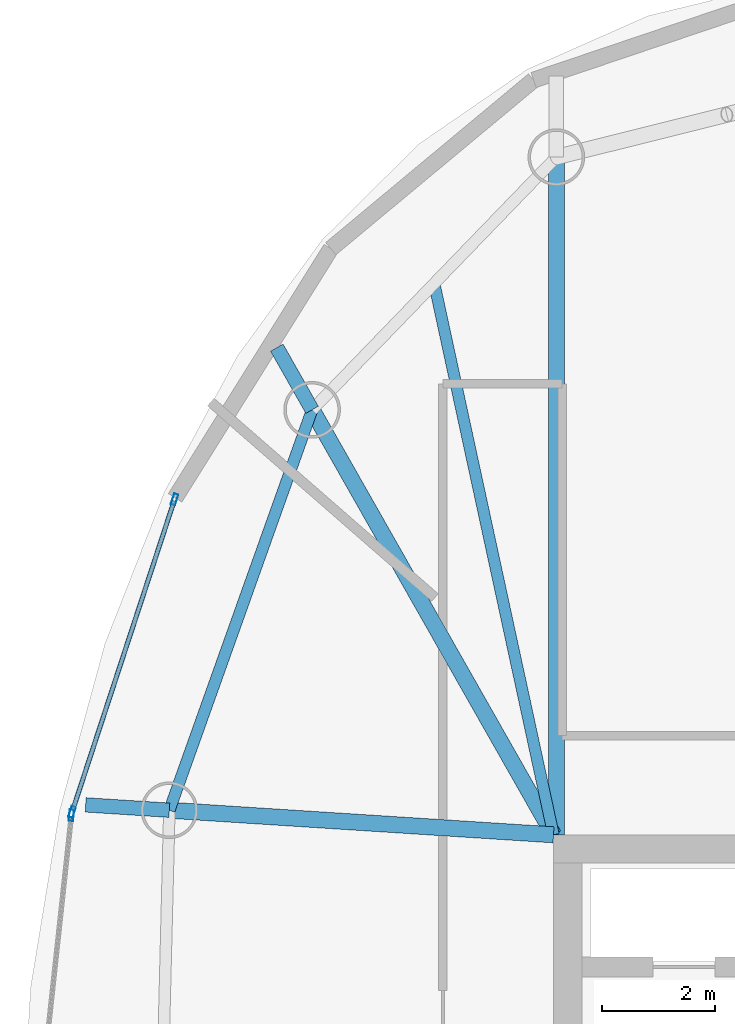
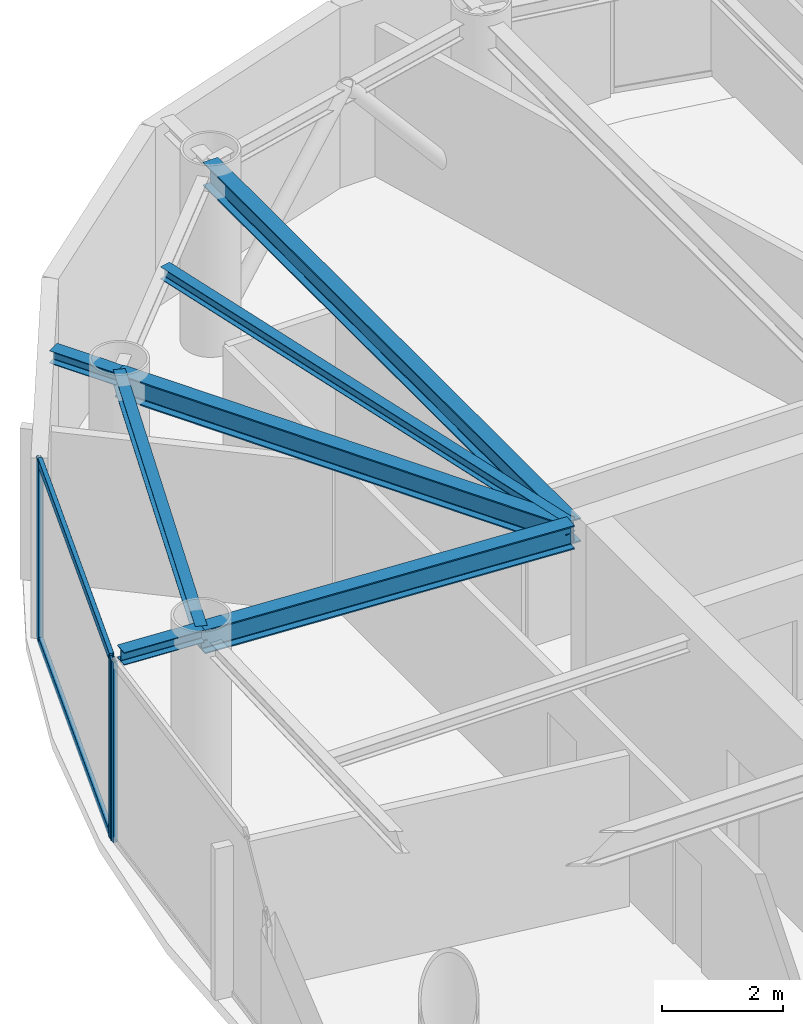
# One storey, part 11 of 20: 7 beams, 5 members, 2 elements without a shape of their own.
"""IFC4 building model written with IfcOpenShell, lengths in metres."""

from ifc_helpers import new_model, si_unit, direction, frame, origin, origin_2d, place, context, subcontext, project, spatial, hollow_rectangle, i_section, extrude, material, layer, layer_set, material_profile, profile_set, type_object, element, aggregate, save


model = new_model("IFC4")

# Units and contexts
model_context = context("Model", 3, precision=1e-05, world=origin(), true_north=direction((0.0, 1.0)))
body_context = subcontext(model_context, "Body", "Model", "MODEL_VIEW")
ifc_project = project(units=[si_unit("LENGTHUNIT", "METRE"), si_unit("AREAUNIT", "SQUARE_METRE"), si_unit("VOLUMEUNIT", "CUBIC_METRE"), si_unit("PLANEANGLEUNIT", "RADIAN"), si_unit("MASSUNIT", "GRAM", prefix="KILO")], contexts=[model_context])

# Site, building, storey
site_placement = place(None, origin())
site = spatial("IfcSite", under=ifc_project, at=site_placement, CompositionType="ELEMENT")
building_placement = place(site_placement, origin())
building = spatial("IfcBuilding", under=site, at=building_placement, Name="Bramvorn Convention Spire", CompositionType="ELEMENT")
storey_placement = place(building_placement, frame((0.0, 0.0, 276.699951171875)))
storey = spatial("IfcBuildingStorey", under=building, at=storey_placement, Name="L70", CompositionType="ELEMENT", Elevation=276.699951171875)

# Beams
ifc_material_1 = material(Name="Steel CSA G40.21 Grade 350 (350W)", Category="steel")
ifc_material_profile_1 = material_profile(ifc_material_1, i_section(OverallWidth=0.201904296875, OverallDepth=0.2470703125, WebThickness=0.00732421875, FlangeThickness=0.010986328125, FilletRadius=0.011962890625, at=origin_2d()))
ifc_profile_set_1 = profile_set([ifc_material_profile_1], Name="Steel CSA G40.21 Grade 350 (350W) - W250X49")
beam_type_1 = type_object("IfcBeamType", Name="BM-W250X49", PredefinedType="JOIST", material=ifc_profile_set_1)
beam_1_placement = place(storey_placement, frame((26.75, 33.449951171875, 3.50146484375), z_axis=(-0.211461445939, 0.977386339623, 0.0), x_axis=(-0.977386339623, -0.211461445939, 0.0)))
element("IfcBeam", 1, at=beam_1_placement, inside=storey, type_object=beam_type_1, Name="L70 composite floor joist 09", PredefinedType="JOIST", context=body_context, shape_type="SweptSolid", body=[
    extrude(i_section(OverallWidth=0.201904296875, OverallDepth=0.2470703125, WebThickness=0.00732421875, FlangeThickness=0.010986328125, FilletRadius=0.011962890625, at=origin_2d()), origin(), (0.0, 0.0, 1.0), 9.9462890625),
])
ifc_material_profile_2 = material_profile(ifc_material_1, i_section(OverallWidth=0.25390625, OverallDepth=0.2529296875, WebThickness=0.008544921875, FlangeThickness=0.01416015625, FilletRadius=0.011962890625, at=origin_2d()))
ifc_profile_set_2 = profile_set([ifc_material_profile_2], Name="Steel CSA G40.21 Grade 350 (350W) - W250X73")
beam_type_2 = type_object("IfcBeamType", Name="BM-W250X73", PredefinedType="BEAM", material=ifc_profile_set_2)
beam_2_placement = place(storey_placement, frame((22.49365234375, 40.94384765625, 3.49853515625), z_axis=(-0.493946149611, 0.869492496393, 0.0), x_axis=(-0.869492496393, -0.493946149611, 0.0)))
element("IfcBeam", 2, at=beam_2_placement, inside=storey, type_object=beam_type_2, Name="L70 slab-edge cantilever tip beam MC10", PredefinedType="BEAM", context=body_context, shape_type="SweptSolid", body=[
    extrude(i_section(OverallWidth=0.25390625, OverallDepth=0.2529296875, WebThickness=0.008544921875, FlangeThickness=0.01416015625, FilletRadius=0.011962890625, at=origin_2d()), origin(), (0.0, 0.0, 1.0), 1.259765625),
])
beam_3_placement = place(storey_placement, frame((19.976318359375, 33.883544921875, 3.49853515625), z_axis=(-0.997966178029, 0.063745646983, 0.0), x_axis=(-0.063745646983, -0.997966178029, 0.0)))
element("IfcBeam", 3, at=beam_3_placement, inside=storey, type_object=beam_type_2, Name="L70 slab-edge cantilever tip beam MC11", PredefinedType="BEAM", context=body_context, shape_type="SweptSolid", body=[
    extrude(i_section(OverallWidth=0.25390625, OverallDepth=0.2529296875, WebThickness=0.008544921875, FlangeThickness=0.01416015625, FilletRadius=0.011962890625, at=origin_2d()), origin(), (0.0, 0.0, 1.0), 1.478271484375),
])
ifc_material_profile_3 = material_profile(ifc_material_1, i_section(OverallWidth=0.202880859375, OverallDepth=0.302978515625, WebThickness=0.007568359375, FlangeThickness=0.01318359375, FilletRadius=0.013916015625, at=origin_2d()))
ifc_profile_set_3 = profile_set([ifc_material_profile_3], Name="Steel CSA G40.21 Grade 350 (350W) - W310X60")
beam_type_3 = type_object("IfcBeamType", Name="BM-W310X60", PredefinedType="JOIST", material=ifc_profile_set_3)
beam_4_placement = place(storey_placement, frame((22.49365234375, 40.94384765625, 3.4736328125), z_axis=(-0.335839090413, -0.941919373063, 0.0), x_axis=(0.941919373063, -0.335839090413, 0.0)))
element("IfcBeam", 4, at=beam_4_placement, inside=storey, type_object=beam_type_3, Name="L70 mega-column ring beam 10", PredefinedType="JOIST", context=body_context, shape_type="SweptSolid", body=[
    extrude(i_section(OverallWidth=0.202880859375, OverallDepth=0.302978515625, WebThickness=0.007568359375, FlangeThickness=0.01318359375, FilletRadius=0.013916015625, at=origin_2d()), origin(), (0.0, 0.0, 1.0), 7.49560546875),
])
ifc_material_profile_4 = material_profile(ifc_material_1, i_section(OverallWidth=0.283935546875, OverallDepth=0.47607421875, WebThickness=0.014892578125, FlangeThickness=0.02392578125, FilletRadius=0.01806640625, at=origin_2d()))
ifc_profile_set_4 = profile_set([ifc_material_profile_4], Name="Steel CSA G40.21 Grade 350 (350W) - W460X158")
beam_type_4 = type_object("IfcBeamType", Name="BM-W460X158", PredefinedType="SPANDREL", material=ifc_profile_set_4)
beam_5_placement = place(storey_placement, frame((26.800048828125, 33.449951171875, 3.386962890625), z_axis=(0.0, 1.0, 0.0), x_axis=(-1.0, 0.0, 0.0)))
element("IfcBeam", 5, at=beam_5_placement, inside=storey, type_object=beam_type_4, Name="L70 radial floor girder MC09", PredefinedType="SPANDREL", context=body_context, shape_type="SweptSolid", body=[
    extrude(i_section(OverallWidth=0.283935546875, OverallDepth=0.47607421875, WebThickness=0.014892578125, FlangeThickness=0.02392578125, FilletRadius=0.01806640625, at=origin_2d()), origin(), (0.0, 0.0, 1.0), 11.948974609375),
])
beam_6_placement = place(storey_placement, frame((26.75, 33.449951171875, 3.386962890625), z_axis=(-0.493873612118, 0.869533699895, 0.0), x_axis=(-0.869533699895, -0.493873612118, 0.0)))
element("IfcBeam", 6, at=beam_6_placement, inside=storey, type_object=beam_type_4, Name="L70 radial floor girder MC10", PredefinedType="SPANDREL", context=body_context, shape_type="SweptSolid", body=[
    extrude(i_section(OverallWidth=0.283935546875, OverallDepth=0.47607421875, WebThickness=0.014892578125, FlangeThickness=0.02392578125, FilletRadius=0.01806640625, at=origin_2d()), origin(), (0.0, 0.0, 1.0), 8.618408203125),
])
beam_7_placement = place(storey_placement, frame((26.75, 33.449951171875, 3.386962890625), z_axis=(-0.997957536354, 0.063880792379, 0.0), x_axis=(-0.063880792379, -0.997957536354, 0.0)))
element("IfcBeam", 7, at=beam_7_placement, inside=storey, type_object=beam_type_4, Name="L70 radial floor girder MC11", PredefinedType="SPANDREL", context=body_context, shape_type="SweptSolid", body=[
    extrude(i_section(OverallWidth=0.283935546875, OverallDepth=0.47607421875, WebThickness=0.014892578125, FlangeThickness=0.02392578125, FilletRadius=0.01806640625, at=origin_2d()), origin(), (0.0, 0.0, 1.0), 6.78759765625),
])

# Curtain wall, members
ifc_material_2 = material(Name="Anodised Bronze Unitised Curtain Wall", Category="aluminium")
ifc_layer = layer(ifc_material_2, 0.179931640625)
ifc_layer_set = layer_set([ifc_layer], Name="Anodised Bronze Unitised Curtain Wall - CW-OFF-FRIT")
curtain_wall_type = type_object("IfcCurtainWallType", Name="CW-OFF-FRIT", PredefinedType="USERDEFINED", material=ifc_layer_set)
curtain_wall_1_placement = place(storey_placement, origin())
curtain_wall_1 = element("IfcCurtainWall", 8, at=curtain_wall_1_placement, inside=storey, type_object=curtain_wall_type, Name="L70 fritted glass curtain wall 15", ObjectType="UNITISED CURTAIN WALL", PredefinedType="USERDEFINED")
ifc_material_3 = material(Name="Anodised Bronze Aluminium 6063-T6", Category="aluminium")
ifc_material_profile_5 = material_profile(ifc_material_3, hollow_rectangle(XDim=0.080078125, YDim=0.199951171875, WallThickness=0.00390625, InnerFilletRadius=0.0009765625, OuterFilletRadius=0.00390625, at=origin_2d()))
ifc_profile_set_5 = profile_set([ifc_material_profile_5], Name="Anodised Bronze Aluminium 6063-T6 - CWM80X200")
member_type_1 = type_object("IfcMemberType", Name="CW-MUL-180", PredefinedType="MULLION", material=ifc_profile_set_5)
member_1_placement = place(storey_placement, frame((18.261962890625, 33.852294921875, 0.0), z_axis=(0.0, 0.0, 1.0), x_axis=(-0.950211319054, 0.311606240536, 0.0)))
member_1 = element("IfcMember", 9, at=member_1_placement, type_object=member_type_1, Name="CW3 mullion 1", PredefinedType="MULLION", context=body_context, shape_type="SweptSolid", body=[
    extrude(hollow_rectangle(XDim=0.080078125, YDim=0.199951171875, WallThickness=0.00390625, InnerFilletRadius=0.0009765625, OuterFilletRadius=0.00390625, at=origin_2d()), origin(), (0.0, 0.0, 1.0), 3.625),
])
member_2_placement = place(storey_placement, frame((20.0693359375, 39.363525390625, 0.0), z_axis=(0.0, 0.0, 1.0), x_axis=(-0.950211319054, 0.311606240536, 0.0)))
member_2 = element("IfcMember", 10, at=member_2_placement, type_object=member_type_1, Name="CW3 mullion 2", PredefinedType="MULLION", context=body_context, shape_type="SweptSolid", body=[
    extrude(hollow_rectangle(XDim=0.080078125, YDim=0.199951171875, WallThickness=0.00390625, InnerFilletRadius=0.0009765625, OuterFilletRadius=0.00390625, at=origin_2d()), origin(), (0.0, 0.0, 1.0), 3.625),
])

# Curtain wall, member
curtain_wall_2_placement = place(storey_placement, origin())
curtain_wall_2 = element("IfcCurtainWall", 11, at=curtain_wall_2_placement, inside=storey, type_object=curtain_wall_type, Name="L70 fritted glass curtain wall 16", ObjectType="UNITISED CURTAIN WALL", PredefinedType="USERDEFINED")
member_3_placement = place(storey_placement, frame((18.24951171875, 33.794189453125, 0.0), z_axis=(0.0, 0.0, 1.0), x_axis=(-0.994191698655, 0.107623725664, 0.0)))
member_3 = element("IfcMember", 12, at=member_3_placement, type_object=member_type_1, Name="CW3 mullion 2", PredefinedType="MULLION", context=body_context, shape_type="SweptSolid", body=[
    extrude(hollow_rectangle(XDim=0.080078125, YDim=0.199951171875, WallThickness=0.00390625, InnerFilletRadius=0.0009765625, OuterFilletRadius=0.00390625, at=origin_2d()), origin(), (0.0, 0.0, 1.0), 3.625),
])
aggregate(curtain_wall_2, [member_3])

# Member
ifc_material_profile_6 = material_profile(ifc_material_3, hollow_rectangle(XDim=0.080078125, YDim=0.159912109375, WallThickness=0.00390625, InnerFilletRadius=0.0009765625, OuterFilletRadius=0.00390625, at=origin_2d()))
ifc_profile_set_6 = profile_set([ifc_material_profile_6], Name="Anodised Bronze Aluminium 6063-T6 - CWT80X160")
member_type_2 = type_object("IfcMemberType", Name="CW-TRN-150", PredefinedType="USERDEFINED", material=ifc_profile_set_6)
member_4_placement = place(storey_placement, frame((18.271484375, 33.880859375, 0.030029296875), z_axis=(0.31159222077, 0.950215916492, 0.0), x_axis=(-0.950215916492, 0.31159222077, 0.0)))
member_4 = element("IfcMember", 13, at=member_4_placement, type_object=member_type_2, Name="CW3 transom 1.1", ObjectType="TRANSOM", PredefinedType="USERDEFINED", context=body_context, shape_type="SweptSolid", body=[
    extrude(hollow_rectangle(XDim=0.080078125, YDim=0.159912109375, WallThickness=0.00390625, InnerFilletRadius=0.0009765625, OuterFilletRadius=0.00390625, at=origin_2d()), origin(), (0.0, 0.0, 1.0), 5.739990234375),
])

member_5_placement = place(storey_placement, frame((18.271484375, 33.880859375, 3.594970703125), z_axis=(0.31159222077, 0.950215916492, 0.0), x_axis=(-0.950215916492, 0.31159222077, 0.0)))
member_5 = element("IfcMember", 14, at=member_5_placement, type_object=member_type_2, Name="CW3 transom 1.2", ObjectType="TRANSOM", PredefinedType="USERDEFINED", context=body_context, shape_type="SweptSolid", body=[
    extrude(hollow_rectangle(XDim=0.080078125, YDim=0.159912109375, WallThickness=0.00390625, InnerFilletRadius=0.0009765625, OuterFilletRadius=0.00390625, at=origin_2d()), origin(), (0.0, 0.0, 1.0), 5.739990234375),
])

aggregate(curtain_wall_1, [member_1, member_2, member_4, member_5])

save(model, "model.ifc")
